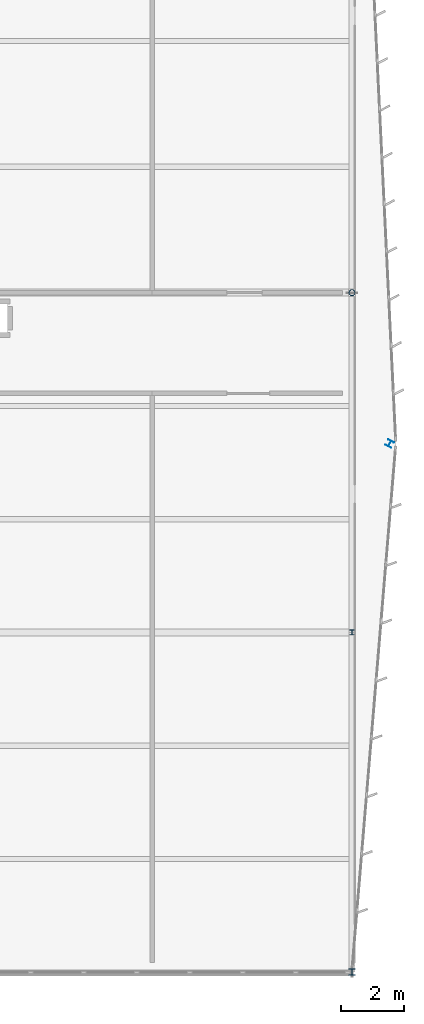
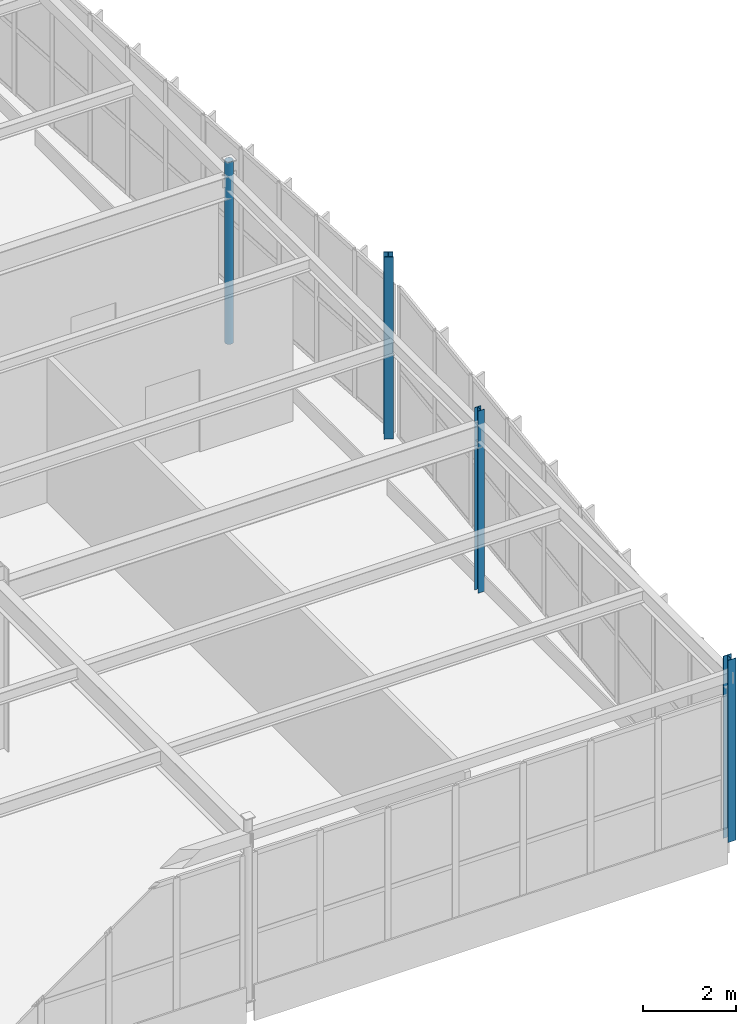
# One storey, part 48 of 226: 4 columns.
"""IFC4 building model written with IfcOpenShell, lengths in metres."""

from ifc_helpers import new_model, si_unit, direction, frame, origin, origin_2d, place, context, subcontext, project, spatial, hollow_circle, i_section, extrude, material, material_profile, profile_set, type_object, element, save


model = new_model("IFC4")

# Units and contexts
model_context = context("Model", 3, precision=1e-05, world=origin(), true_north=direction((0.0, 1.0)))
body_context = subcontext(model_context, "Body", "Model", "MODEL_VIEW")
ifc_project = project(units=[si_unit("LENGTHUNIT", "METRE"), si_unit("AREAUNIT", "SQUARE_METRE"), si_unit("VOLUMEUNIT", "CUBIC_METRE"), si_unit("PLANEANGLEUNIT", "RADIAN"), si_unit("MASSUNIT", "GRAM", prefix="KILO")], contexts=[model_context])

# Site, building, storey
site_placement = place(None, origin())
site = spatial("IfcSite", under=ifc_project, at=site_placement, CompositionType="ELEMENT")
building_placement = place(site_placement, origin())
building = spatial("IfcBuilding", under=site, at=building_placement, Name="Tarnwether General Hospital", CompositionType="ELEMENT")
storey_placement = place(building_placement, frame((0.0, 0.0, 4.800048828125)))
storey = spatial("IfcBuildingStorey", under=building, at=storey_placement, Name="L01", CompositionType="ELEMENT", Elevation=4.800048828125)

# Columns
ifc_material_1 = material(Name="Steel Grade 350 (350 MPa)", Category="steel")
ifc_material_profile_1 = material_profile(ifc_material_1, i_section(OverallWidth=0.202880859375, OverallDepth=0.202880859375, WebThickness=0.00732421875, FlangeThickness=0.010986328125, at=origin_2d()), Name="200UC46.2")
ifc_profile_set_1 = profile_set([ifc_material_profile_1], Name="Steel Grade 350 (350 MPa)")
column_type_1 = type_object("IfcColumnType", Name="COL-27", PredefinedType="COLUMN", material=ifc_profile_set_1)
for number, where, z_axis, x_axis, name in (
    (1, (192.0, 0.0, 0.0), (0.0, 0.0, 1.0), (1.0, 0.0, 0.0), "Column COLG-L01-19200_0"),
    (2, (193.199951171875, 16.800048828125, 0.0), (0.0, 0.0, 1.0), (0.882947592859, -0.469471562786, 0.0), "Column COLG-L01-19320_1680"),
):
    element("IfcColumn", number, at=place(storey_placement, frame(where, z_axis=z_axis, x_axis=x_axis)), inside=storey, type_object=column_type_1, Name=name, PredefinedType="COLUMN", context=body_context, shape_type="SweptSolid", body=[
        extrude(i_section(OverallWidth=0.202880859375, OverallDepth=0.202880859375, WebThickness=0.00732421875, FlangeThickness=0.010986328125, at=origin_2d()), origin(), (0.0, 0.0, 1.0), 4.800048828125),
    ])
ifc_material_2 = material(Name="Steel Grade 350 (350 MPa)", Category="steel")
ifc_material_profile_2 = material_profile(ifc_material_2, i_section(OverallWidth=0.154052734375, OverallDepth=0.162109375, WebThickness=0.008056640625, FlangeThickness=0.011474609375, at=origin_2d()), Name="150UC37.2")
ifc_profile_set_2 = profile_set([ifc_material_profile_2], Name="Steel Grade 350 (350 MPa)")
column_type_2 = type_object("IfcColumnType", Name="COL-28", PredefinedType="COLUMN", material=ifc_profile_set_2)
column_1_placement = place(storey_placement, frame((192.0, 10.800048828125, 0.0), z_axis=(0.0, 0.0, 1.0), x_axis=(1.0, 0.0, 0.0)))
element("IfcColumn", 3, at=column_1_placement, inside=storey, type_object=column_type_2, Name="Column COLG-L01-19200_1080", PredefinedType="COLUMN", context=body_context, shape_type="SweptSolid", body=[
    extrude(i_section(OverallWidth=0.154052734375, OverallDepth=0.162109375, WebThickness=0.008056640625, FlangeThickness=0.011474609375, at=origin_2d()), origin(), (0.0, 0.0, 1.0), 4.800048828125),
])
ifc_material_3 = material(Name="Steel Grade C350L0 (350 MPa)", Category="steel")
ifc_material_profile_3 = material_profile(ifc_material_3, hollow_circle(Radius=0.096923828125, WallThickness=0.008056640625, at=origin_2d()), Name="CHS193.7x8.0")
ifc_profile_set_3 = profile_set([ifc_material_profile_3], Name="Steel Grade C350L0 (350 MPa)")
column_type_3 = type_object("IfcColumnType", Name="COL-29", PredefinedType="COLUMN", material=ifc_profile_set_3)
column_2_placement = place(storey_placement, frame((192.0, 21.60009765625, 0.0), z_axis=(0.0, 0.0, 1.0), x_axis=(1.0, 0.0, 0.0)))
element("IfcColumn", 4, at=column_2_placement, inside=storey, type_object=column_type_3, Name="Column COLG-L01-19200_2160", PredefinedType="COLUMN", context=body_context, shape_type="SweptSolid", body=[
    extrude(hollow_circle(Radius=0.096923828125, WallThickness=0.008056640625, at=origin_2d()), origin(), (0.0, 0.0, 1.0), 4.800048828125),
])

save(model, "model.ifc")
